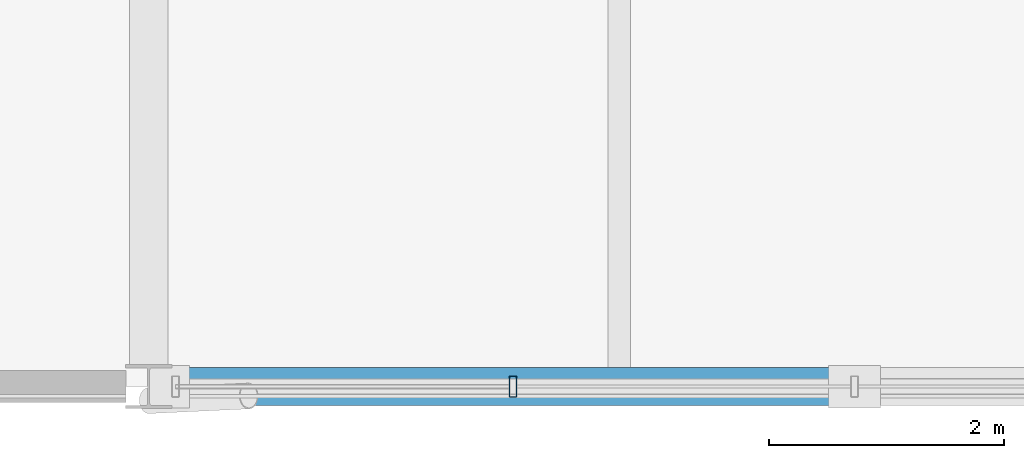
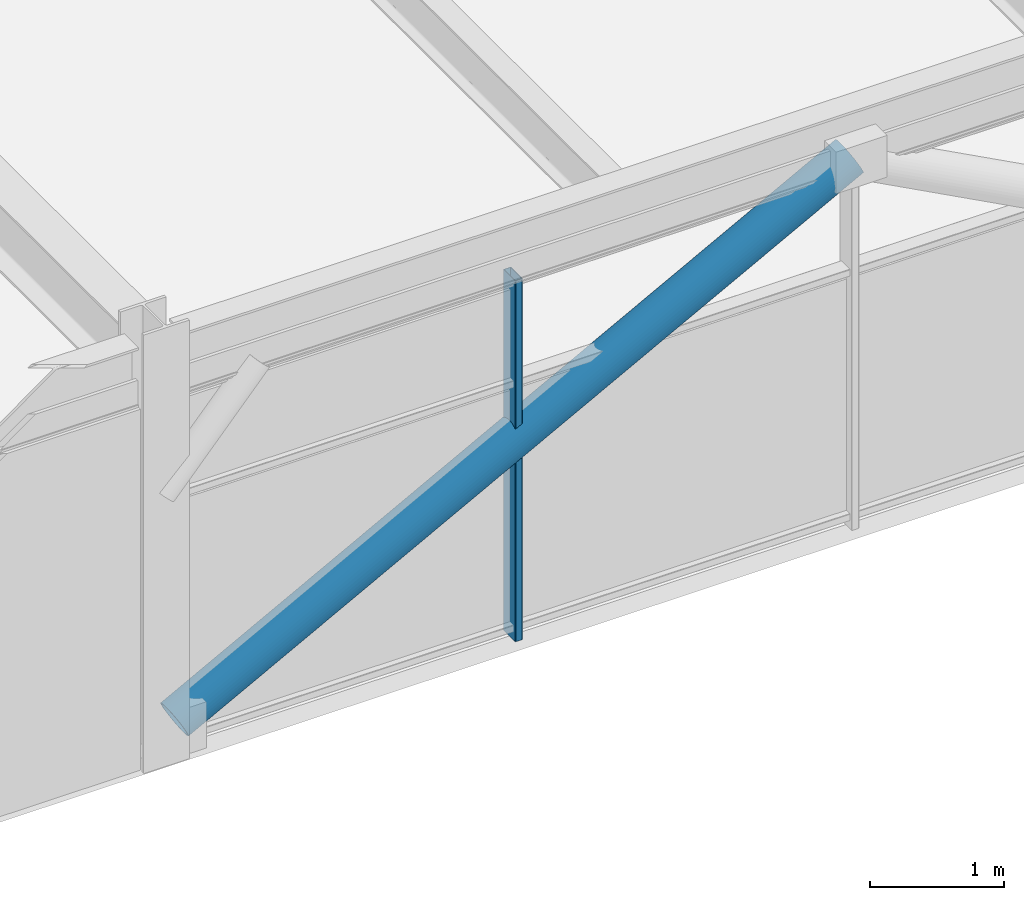
# One storey, part 8 of 49: 2 members, 1 element without a shape of its own.
"""IFC4 building model written with IfcOpenShell, lengths in metres."""

from ifc_helpers import new_model, si_unit, direction, frame, origin, origin_2d, place, context, subcontext, project, spatial, hollow_rectangle, hollow_circle, extrude, material, material_profile, profile_set, type_object, element, aggregate, save


model = new_model("IFC4")

# Units and contexts
model_context = context("Model", 3, precision=1e-05, world=origin(), true_north=direction((0.0, 1.0)))
body_context = subcontext(model_context, "Body", "Model", "MODEL_VIEW")
ifc_project = project(units=[si_unit("LENGTHUNIT", "METRE"), si_unit("AREAUNIT", "SQUARE_METRE"), si_unit("VOLUMEUNIT", "CUBIC_METRE"), si_unit("PLANEANGLEUNIT", "RADIAN"), si_unit("MASSUNIT", "GRAM", prefix="KILO")], contexts=[model_context])

# Site, building, storey
site_placement = place(None, origin())
site = spatial("IfcSite", under=ifc_project, at=site_placement, CompositionType="ELEMENT")
building_placement = place(site_placement, origin())
building = spatial("IfcBuilding", under=site, at=building_placement, Name="Girod Span Mobility Hub", CompositionType="ELEMENT")
storey_placement = place(building_placement, frame((0.0, 0.0, 37.60009765625)))
storey = spatial("IfcBuildingStorey", under=building, at=storey_placement, Name="L09", CompositionType="ELEMENT", Elevation=37.60009765625)

# Curtain wall, member
ifc_material_1 = material(Name="Thermally Broken Anodised Aluminium", Category="aluminium")
curtain_wall_type = type_object("IfcCurtainWallType", Name="CW-1161X329", PredefinedType="USERDEFINED", material=ifc_material_1)
curtain_wall_placement = place(storey_placement, origin())
curtain_wall = element("IfcCurtainWall", 1, at=curtain_wall_placement, inside=storey, type_object=curtain_wall_type, Name="Unitised Curtain Wall CW-L09-S04 L09", ObjectType="UNITISED CURTAIN WALL", PredefinedType="USERDEFINED")
ifc_material_2 = material(Name="Thermally Broken Anodised Aluminium", Category="aluminium")
ifc_material_profile_1 = material_profile(ifc_material_2, hollow_rectangle(XDim=0.179931640625, YDim=0.06494140625, WallThickness=0.00390625, InnerFilletRadius=0.00390625, OuterFilletRadius=0.008056640625, at=origin_2d()), Name="CW-ML-65X180")
ifc_profile_set_1 = profile_set([ifc_material_profile_1], Name="Thermally Broken Anodised Aluminium")
member_type_1 = type_object("IfcMemberType", Name="CWM-ML-2", PredefinedType="MULLION", material=ifc_profile_set_1)
member_1_placement = place(storey_placement, frame((39.097412109375, 27.0, 0.0), z_axis=(0.0, 0.0, 1.0), x_axis=(0.0, 1.0, 0.0)))
member_1 = element("IfcMember", 2, at=member_1_placement, type_object=member_type_1, Name="Curtain Wall Mullion CW-L09-S04-M1", PredefinedType="MULLION", context=body_context, shape_type="SweptSolid", body=[
    extrude(hollow_rectangle(XDim=0.179931640625, YDim=0.06494140625, WallThickness=0.00390625, InnerFilletRadius=0.00390625, OuterFilletRadius=0.008056640625, at=origin_2d()), origin(), (0.0, 0.0, 1.0), 3.291015625),
])
aggregate(curtain_wall, [member_1])

# Member
ifc_material_3 = material(Name="Steel HSS A500 Grade C", Category="steel")
ifc_material_profile_2 = material_profile(ifc_material_3, hollow_circle(Radius=0.162109375, WallThickness=0.01171875, at=origin_2d()), Name="HSS324X12.7")
ifc_profile_set_2 = profile_set([ifc_material_profile_2], Name="Steel HSS A500 Grade C")
member_type_2 = type_object("IfcMemberType", Name="MB-BR-HSS324", PredefinedType="BRACE", material=ifc_profile_set_2)
member_2_placement = place(storey_placement, frame((36.177001953125, 27.0, 0.25), z_axis=(0.882652915003, 0.0, 0.470025352122), x_axis=(0.0, 1.0, 0.0)))
element("IfcMember", 3, at=member_2_placement, inside=storey, type_object=member_type_2, Name="Upper Diagrid Brace 4/C-L L09", PredefinedType="BRACE", context=body_context, shape_type="SweptSolid", body=[
    extrude(hollow_circle(Radius=0.162109375, WallThickness=0.01171875, at=origin_2d()), origin(), (0.0, 0.0, 1.0), 6.59716796875),
])

save(model, "model.ifc")
